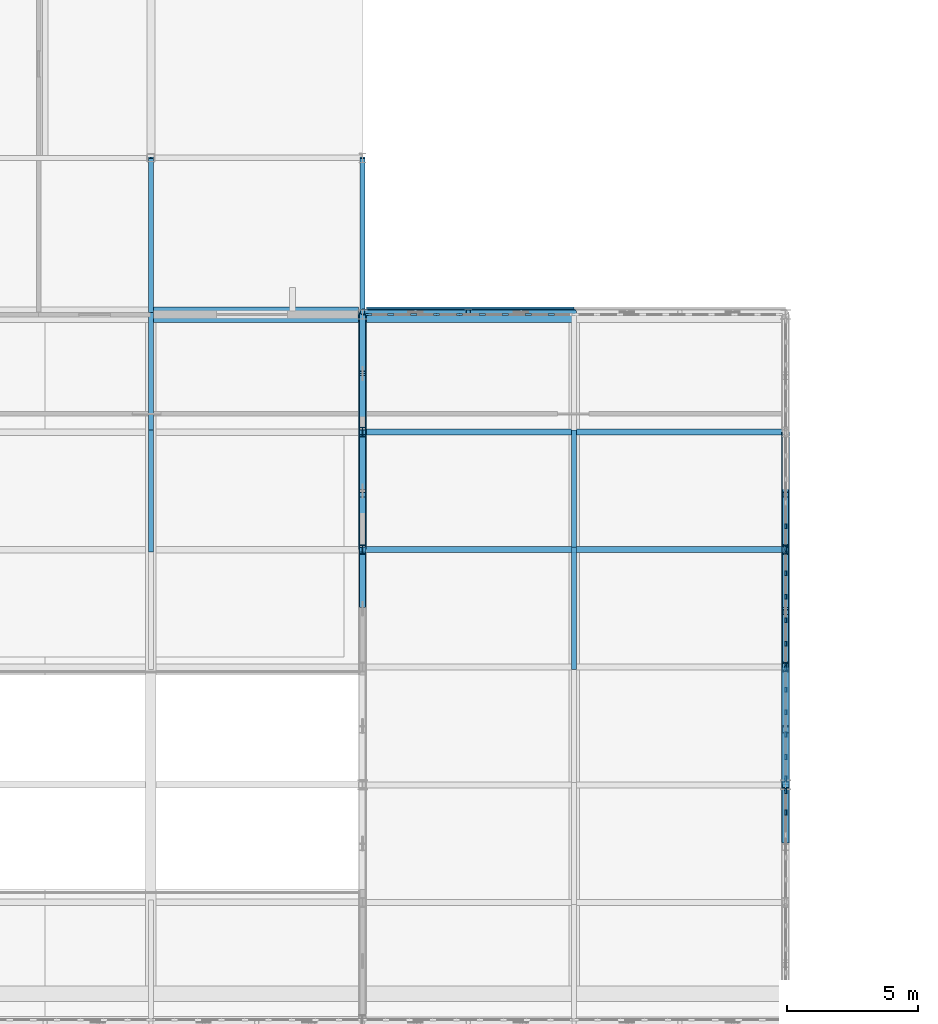
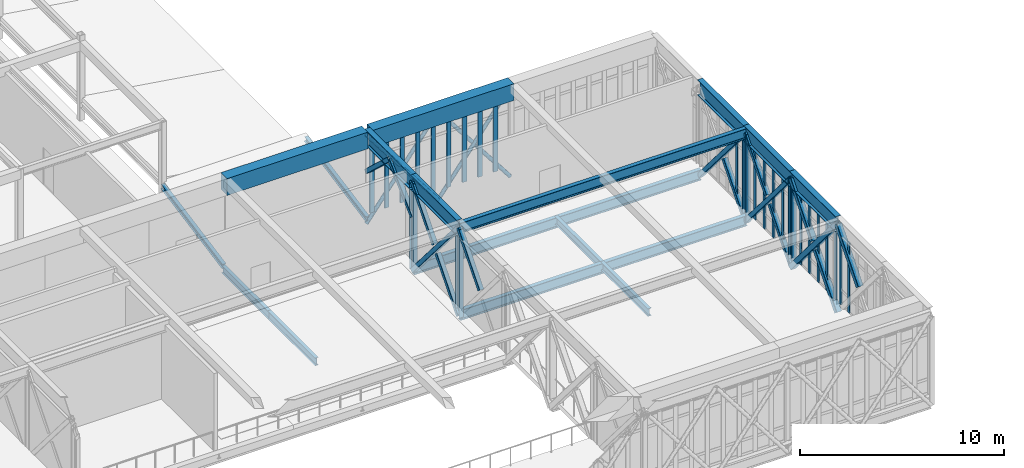
# One storey, part 17 of 70: 52 members, 14 beams, 5 elements without a shape of their own.
"""IFC4 building model written with IfcOpenShell, lengths in metres."""

from ifc_helpers import new_model, si_unit, direction, frame, origin, origin_2d, place, context, subcontext, project, spatial, rectangle, hollow_rectangle, hollow_circle, i_section, extrude, material, material_profile, profile_set, type_object, element, aggregate, save


model = new_model("IFC4")

# Units and contexts
model_context = context("Model", 3, precision=1e-05, world=origin(), true_north=direction((0.0, 1.0)))
body_context = subcontext(model_context, "Body", "Model", "MODEL_VIEW")
ifc_project = project(units=[si_unit("LENGTHUNIT", "METRE"), si_unit("AREAUNIT", "SQUARE_METRE"), si_unit("VOLUMEUNIT", "CUBIC_METRE"), si_unit("PLANEANGLEUNIT", "RADIAN"), si_unit("MASSUNIT", "GRAM", prefix="KILO")], contexts=[model_context])

# Site, building, storey
site_placement = place(None, origin())
site = spatial("IfcSite", under=ifc_project, at=site_placement, CompositionType="ELEMENT")
building_placement = place(site_placement, origin())
building = spatial("IfcBuilding", under=site, at=building_placement, Name="Tarnveldt Square Police Headquarters", CompositionType="ELEMENT")
storey_placement = place(building_placement, frame((0.0, 0.0, 19.800048828125)))
storey = spatial("IfcBuildingStorey", under=building, at=storey_placement, Name="L04", CompositionType="ELEMENT", Elevation=19.800048828125)

# Beams
ifc_material_1 = material(Name="Steel 350W", Category="steel")
ifc_material_profile_1 = material_profile(ifc_material_1, i_section(OverallWidth=0.305908203125, OverallDepth=0.9189453125, WebThickness=0.017333984375, FlangeThickness=0.02783203125, FilletRadius=0.02392578125, at=origin_2d()), Name="W920x253")
ifc_profile_set_1 = profile_set([ifc_material_profile_1], Name="Steel 350W")
beam_type_1 = type_object("IfcBeamType", Name="BM-CT-TOP", PredefinedType="BEAM", material=ifc_profile_set_1)
for number, where, z_axis, x_axis, name in (
    (1, (48.60009765625, 34.0, 4.640380859375), (0.0, -1.0, 0.0), (1.0, 0.0, 0.0), "Cantilever Truss CT-3 Top Chord 1"),
    (2, (48.60009765625, 29.5, 4.640380859375), (0.0, -1.0, 0.0), (1.0, 0.0, 0.0), "Cantilever Truss CT-3 Top Chord 2"),
    (3, (64.800048828125, 29.5, 4.640380859375), (0.0, -1.0, 0.0), (1.0, 0.0, 0.0), "Cantilever Truss CT-4 Top Chord 2"),
    (4, (64.800048828125, 25.0, 4.640380859375), (0.0, -1.0, 0.0), (1.0, 0.0, 0.0), "Cantilever Truss CT-4 Top Chord 3"),
    (5, (64.800048828125, 20.5, 4.640380859375), (0.0, -1.0, 0.0), (1.0, 0.0, 0.0), "Cantilever Truss CT-4 Top Chord 4"),
):
    element("IfcBeam", number, at=place(storey_placement, frame(where, z_axis=z_axis, x_axis=x_axis)), inside=storey, type_object=beam_type_1, Name=name, PredefinedType="BEAM", context=body_context, shape_type="SweptSolid", body=[
        extrude(i_section(OverallWidth=0.305908203125, OverallDepth=0.9189453125, WebThickness=0.017333984375, FlangeThickness=0.02783203125, FilletRadius=0.02392578125, at=origin_2d()), origin(), (0.0, 0.0, 1.0), 4.5),
    ])
ifc_material_2 = material(Name="Concrete 50 MPa", Category="concrete")
ifc_material_profile_2 = material_profile(ifc_material_2, rectangle(XDim=0.60009765625, YDim=1.0, at=origin_2d()), Name="RC-B600x1000")
ifc_profile_set_2 = profile_set([ifc_material_profile_2], Name="Concrete 50 MPa")
beam_type_2 = type_object("IfcBeamType", Name="BM-RC600x1000", PredefinedType="BEAM", material=ifc_profile_set_2)
for number, where, z_axis, x_axis, name in (
    (6, (40.5, 34.0, 4.599853515625), (1.0, 0.0, 0.0), (0.0, 1.0, 0.0), "Command and Control Room Springing Edge Ring Beam N5"),
    (7, (48.75, 34.0, 4.599853515625), (1.0, 0.0, 0.0), (0.0, 1.0, 0.0), "Command and Control Room Springing Edge Ring Beam N6"),
):
    element("IfcBeam", number, at=place(storey_placement, frame(where, z_axis=z_axis, x_axis=x_axis)), inside=storey, type_object=beam_type_2, Name=name, PredefinedType="BEAM", context=body_context, shape_type="SweptSolid", body=[
        extrude(rectangle(XDim=0.60009765625, YDim=1.0, at=origin_2d()), origin(), (0.0, 0.0, 1.0), 7.949951171875),
    ])
ifc_material_profile_3 = material_profile(ifc_material_1, i_section(OverallWidth=0.19189453125, OverallDepth=0.462890625, WebThickness=0.010498046875, FlangeThickness=0.017578125, FilletRadius=0.01806640625, at=origin_2d()), Name="W460x89")
ifc_profile_set_3 = profile_set([ifc_material_profile_3], Name="Steel 350W")
beam_type_3 = type_object("IfcBeamType", Name="BM-W460x89", PredefinedType="BEAM", material=ifc_profile_set_3)
for number, where, z_axis, x_axis, name in (
    (8, (40.5, 34.080078125, -0.491455078125), (0.0, -1.0, 0.0), (1.0, 0.0, 0.0), "Lantern L04 Secondary Beam 40.0"),
    (9, (40.5, 29.580078125, -0.491455078125), (0.0, -1.0, 0.0), (1.0, 0.0, 0.0), "Lantern L04 Secondary Beam 40.1"),
    (10, (56.699951171875, 29.580078125, -0.491455078125), (0.0, -1.0, 0.0), (1.0, 0.0, 0.0), "Lantern L04 Secondary Beam 56.1"),
    (11, (56.699951171875, 25.080078125, -0.491455078125), (0.0, -1.0, 0.0), (1.0, 0.0, 0.0), "Lantern L04 Secondary Beam 56.2"),
):
    element("IfcBeam", number, at=place(storey_placement, frame(where, z_axis=z_axis, x_axis=x_axis)), inside=storey, type_object=beam_type_3, Name=name, PredefinedType="BEAM", context=body_context, shape_type="SweptSolid", body=[
        extrude(i_section(OverallWidth=0.19189453125, OverallDepth=0.462890625, WebThickness=0.010498046875, FlangeThickness=0.017578125, FilletRadius=0.01806640625, at=origin_2d()), origin(), (0.0, 0.0, 1.0), 4.66015625),
    ])
ifc_material_profile_4 = material_profile(ifc_material_1, i_section(OverallWidth=0.22900390625, OverallDepth=0.612060546875, WebThickness=0.011962890625, FlangeThickness=0.01953125, FilletRadius=0.01904296875, at=origin_2d()), Name="W610x125")
ifc_profile_set_4 = profile_set([ifc_material_profile_4], Name="Steel 350W")
beam_type_4 = type_object("IfcBeamType", Name="BM-W610x125", PredefinedType="BEAM", material=ifc_profile_set_4)
for number, where, z_axis, x_axis, name in (
    (12, (48.60009765625, 29.5, -0.566162109375), (1.0, 0.0, 0.0), (0.0, 1.0, 0.0), "Command Lantern L04 Transverse Girder 3.1"),
    (13, (48.60009765625, 25.0, -0.566162109375), (1.0, 0.0, 0.0), (0.0, 1.0, 0.0), "Command Lantern L04 Transverse Girder 3.2"),
    (14, (48.60009765625, 25.0, 4.640380859375), (1.0, 0.0, 0.0), (0.0, 1.0, 0.0), "Command Lantern Roof Ring Girder 3.2"),
):
    element("IfcBeam", number, at=place(storey_placement, frame(where, z_axis=z_axis, x_axis=x_axis)), inside=storey, type_object=beam_type_4, Name=name, PredefinedType="BEAM", context=body_context, shape_type="SweptSolid", body=[
        extrude(i_section(OverallWidth=0.22900390625, OverallDepth=0.612060546875, WebThickness=0.011962890625, FlangeThickness=0.01953125, FilletRadius=0.01904296875, at=origin_2d()), origin(), (0.0, 0.0, 1.0), 16.199951171875),
    ])

# Curtain wall, members
ifc_material_3 = material(Name="Triple-glazed low-e laminated vision glass", Category="glass")
curtain_wall_type_1 = type_object("IfcCurtainWallType", Name="CW-LT-430x417", PredefinedType="USERDEFINED", material=ifc_material_3)
curtain_wall_1_placement = place(storey_placement, origin())
curtain_wall_1 = element("IfcCurtainWall", 15, at=curtain_wall_1_placement, inside=storey, type_object=curtain_wall_type_1, Name="L04 Curtain Wall CW-L04-057", ObjectType="GLAZED CURTAIN WALL", PredefinedType="USERDEFINED")
ifc_material_4 = material(Name="Thermally broken anodised aluminium 6063-T6", Category="aluminium")
ifc_material_profile_5 = material_profile(ifc_material_4, rectangle(XDim=0.074951171875, YDim=0.199951171875, at=origin_2d()), Name="CW-M75x200")
ifc_profile_set_5 = profile_set([ifc_material_profile_5], Name="Thermally broken anodised aluminium 6063-T6")
member_type_1 = type_object("IfcMemberType", Name="CWM-75x200", PredefinedType="MULLION", material=ifc_profile_set_5)
member_1_placement = place(storey_placement, frame((64.800048828125, 14.9384765625, 0.0), z_axis=(0.0, 0.0, 1.0), x_axis=(-1.0, 0.0, 0.0)))
member_1 = element("IfcMember", 16, at=member_1_placement, type_object=member_type_1, Name="CW-LT21 mullion 5", PredefinedType="MULLION", context=body_context, shape_type="SweptSolid", body=[
    extrude(rectangle(XDim=0.074951171875, YDim=0.199951171875, at=origin_2d()), origin(), (0.0, 0.0, 1.0), 4.1728515625),
])
member_2_placement = place(storey_placement, frame((64.800048828125, 15.760498046875, 0.0), z_axis=(0.0, 0.0, 1.0), x_axis=(-1.0, 0.0, 0.0)))
member_2 = element("IfcMember", 17, at=member_2_placement, type_object=member_type_1, Name="CW-LT21 mullion 6", PredefinedType="MULLION", context=body_context, shape_type="SweptSolid", body=[
    extrude(rectangle(XDim=0.074951171875, YDim=0.199951171875, at=origin_2d()), origin(), (0.0, 0.0, 1.0), 4.1728515625),
])
aggregate(curtain_wall_1, [member_1, member_2])

curtain_wall_2_placement = place(storey_placement, origin())
curtain_wall_2 = element("IfcCurtainWall", 18, at=curtain_wall_2_placement, inside=storey, type_object=curtain_wall_type_1, Name="L04 Curtain Wall CW-L04-058", ObjectType="GLAZED CURTAIN WALL", PredefinedType="USERDEFINED")
member_3_placement = place(storey_placement, frame((64.800048828125, 16.239501953125, 0.0), z_axis=(0.0, 0.0, 1.0), x_axis=(-1.0, 0.0, 0.0)))
member_3 = element("IfcMember", 19, at=member_3_placement, type_object=member_type_1, Name="CW-LT21 mullion 1", PredefinedType="MULLION", context=body_context, shape_type="SweptSolid", body=[
    extrude(rectangle(XDim=0.074951171875, YDim=0.199951171875, at=origin_2d()), origin(), (0.0, 0.0, 1.0), 4.1728515625),
])
member_4_placement = place(storey_placement, frame((64.800048828125, 17.0615234375, 0.0), z_axis=(0.0, 0.0, 1.0), x_axis=(-1.0, 0.0, 0.0)))
member_4 = element("IfcMember", 20, at=member_4_placement, type_object=member_type_1, Name="CW-LT21 mullion 2", PredefinedType="MULLION", context=body_context, shape_type="SweptSolid", body=[
    extrude(rectangle(XDim=0.074951171875, YDim=0.199951171875, at=origin_2d()), origin(), (0.0, 0.0, 1.0), 4.1728515625),
])
member_5_placement = place(storey_placement, frame((64.800048828125, 17.921142578125, 0.0), z_axis=(0.0, 0.0, 1.0), x_axis=(-1.0, 0.0, 0.0)))
member_5 = element("IfcMember", 21, at=member_5_placement, type_object=member_type_1, Name="CW-LT21 mullion 3", PredefinedType="MULLION", context=body_context, shape_type="SweptSolid", body=[
    extrude(rectangle(XDim=0.074951171875, YDim=0.199951171875, at=origin_2d()), origin(), (0.0, 0.0, 1.0), 4.1728515625),
])
member_6_placement = place(storey_placement, frame((64.800048828125, 18.78076171875, 0.0), z_axis=(0.0, 0.0, 1.0), x_axis=(-1.0, 0.0, 0.0)))
member_6 = element("IfcMember", 22, at=member_6_placement, type_object=member_type_1, Name="CW-LT21 mullion 4", PredefinedType="MULLION", context=body_context, shape_type="SweptSolid", body=[
    extrude(rectangle(XDim=0.074951171875, YDim=0.199951171875, at=origin_2d()), origin(), (0.0, 0.0, 1.0), 4.1728515625),
])
member_7_placement = place(storey_placement, frame((64.800048828125, 19.640380859375, 0.0), z_axis=(0.0, 0.0, 1.0), x_axis=(-1.0, 0.0, 0.0)))
member_7 = element("IfcMember", 23, at=member_7_placement, type_object=member_type_1, Name="CW-LT21 mullion 5", PredefinedType="MULLION", context=body_context, shape_type="SweptSolid", body=[
    extrude(rectangle(XDim=0.074951171875, YDim=0.199951171875, at=origin_2d()), origin(), (0.0, 0.0, 1.0), 4.1728515625),
])
member_8_placement = place(storey_placement, frame((64.800048828125, 20.46240234375, 0.0), z_axis=(0.0, 0.0, 1.0), x_axis=(-1.0, 0.0, 0.0)))
member_8 = element("IfcMember", 24, at=member_8_placement, type_object=member_type_1, Name="CW-LT21 mullion 6", PredefinedType="MULLION", context=body_context, shape_type="SweptSolid", body=[
    extrude(rectangle(XDim=0.074951171875, YDim=0.199951171875, at=origin_2d()), origin(), (0.0, 0.0, 1.0), 4.1728515625),
])
aggregate(curtain_wall_2, [member_3, member_4, member_5, member_6, member_7, member_8])

curtain_wall_type_2 = type_object("IfcCurtainWallType", Name="CW-LT-450x417", PredefinedType="USERDEFINED", material=ifc_material_3)
curtain_wall_3_placement = place(storey_placement, origin())
curtain_wall_3 = element("IfcCurtainWall", 25, at=curtain_wall_3_placement, inside=storey, type_object=curtain_wall_type_2, Name="L04 Curtain Wall CW-L04-059", ObjectType="GLAZED CURTAIN WALL", PredefinedType="USERDEFINED")
member_9_placement = place(storey_placement, frame((64.800048828125, 20.53759765625, 0.0), z_axis=(0.0, 0.0, 1.0), x_axis=(-1.0, 0.0, 0.0)))
member_9 = element("IfcMember", 26, at=member_9_placement, type_object=member_type_1, Name="CW-LT22 mullion 1", PredefinedType="MULLION", context=body_context, shape_type="SweptSolid", body=[
    extrude(rectangle(XDim=0.074951171875, YDim=0.199951171875, at=origin_2d()), origin(), (0.0, 0.0, 1.0), 4.1728515625),
])
member_10_placement = place(storey_placement, frame((64.800048828125, 21.39990234375, 0.0), z_axis=(0.0, 0.0, 1.0), x_axis=(-1.0, 0.0, 0.0)))
member_10 = element("IfcMember", 27, at=member_10_placement, type_object=member_type_1, Name="CW-LT22 mullion 2", PredefinedType="MULLION", context=body_context, shape_type="SweptSolid", body=[
    extrude(rectangle(XDim=0.074951171875, YDim=0.199951171875, at=origin_2d()), origin(), (0.0, 0.0, 1.0), 4.1728515625),
])
member_11_placement = place(storey_placement, frame((64.800048828125, 22.300048828125, 0.0), z_axis=(0.0, 0.0, 1.0), x_axis=(-1.0, 0.0, 0.0)))
member_11 = element("IfcMember", 28, at=member_11_placement, type_object=member_type_1, Name="CW-LT22 mullion 3", PredefinedType="MULLION", context=body_context, shape_type="SweptSolid", body=[
    extrude(rectangle(XDim=0.074951171875, YDim=0.199951171875, at=origin_2d()), origin(), (0.0, 0.0, 1.0), 4.1728515625),
])
member_12_placement = place(storey_placement, frame((64.800048828125, 23.199951171875, 0.0), z_axis=(0.0, 0.0, 1.0), x_axis=(-1.0, 0.0, 0.0)))
member_12 = element("IfcMember", 29, at=member_12_placement, type_object=member_type_1, Name="CW-LT22 mullion 4", PredefinedType="MULLION", context=body_context, shape_type="SweptSolid", body=[
    extrude(rectangle(XDim=0.074951171875, YDim=0.199951171875, at=origin_2d()), origin(), (0.0, 0.0, 1.0), 4.1728515625),
])
member_13_placement = place(storey_placement, frame((64.800048828125, 24.10009765625, 0.0), z_axis=(0.0, 0.0, 1.0), x_axis=(-1.0, 0.0, 0.0)))
member_13 = element("IfcMember", 30, at=member_13_placement, type_object=member_type_1, Name="CW-LT22 mullion 5", PredefinedType="MULLION", context=body_context, shape_type="SweptSolid", body=[
    extrude(rectangle(XDim=0.074951171875, YDim=0.199951171875, at=origin_2d()), origin(), (0.0, 0.0, 1.0), 4.1728515625),
])
member_14_placement = place(storey_placement, frame((64.800048828125, 24.96240234375, 0.0), z_axis=(0.0, 0.0, 1.0), x_axis=(-1.0, 0.0, 0.0)))
member_14 = element("IfcMember", 31, at=member_14_placement, type_object=member_type_1, Name="CW-LT22 mullion 6", PredefinedType="MULLION", context=body_context, shape_type="SweptSolid", body=[
    extrude(rectangle(XDim=0.074951171875, YDim=0.199951171875, at=origin_2d()), origin(), (0.0, 0.0, 1.0), 4.1728515625),
])
aggregate(curtain_wall_3, [member_9, member_10, member_11, member_12, member_13, member_14])

curtain_wall_4_placement = place(storey_placement, origin())
curtain_wall_4 = element("IfcCurtainWall", 32, at=curtain_wall_4_placement, inside=storey, type_object=curtain_wall_type_2, Name="L04 Curtain Wall CW-L04-060", ObjectType="GLAZED CURTAIN WALL", PredefinedType="USERDEFINED")
member_15_placement = place(storey_placement, frame((64.800048828125, 25.03759765625, 0.0), z_axis=(0.0, 0.0, 1.0), x_axis=(-1.0, 0.0, 0.0)))
member_15 = element("IfcMember", 33, at=member_15_placement, type_object=member_type_1, Name="CW-LT22 mullion 1", PredefinedType="MULLION", context=body_context, shape_type="SweptSolid", body=[
    extrude(rectangle(XDim=0.074951171875, YDim=0.199951171875, at=origin_2d()), origin(), (0.0, 0.0, 1.0), 4.1728515625),
])
member_16_placement = place(storey_placement, frame((64.800048828125, 25.89990234375, 0.0), z_axis=(0.0, 0.0, 1.0), x_axis=(-1.0, 0.0, 0.0)))
member_16 = element("IfcMember", 34, at=member_16_placement, type_object=member_type_1, Name="CW-LT22 mullion 2", PredefinedType="MULLION", context=body_context, shape_type="SweptSolid", body=[
    extrude(rectangle(XDim=0.074951171875, YDim=0.199951171875, at=origin_2d()), origin(), (0.0, 0.0, 1.0), 4.1728515625),
])
aggregate(curtain_wall_4, [member_15, member_16])

ifc_material_5 = material(Name="UL 752 Level III laminated ballistic vision glass", Category="glass")
curtain_wall_type_3 = type_object("IfcCurtainWallType", Name="CW-BL-790x409", PredefinedType="USERDEFINED", material=ifc_material_5)
curtain_wall_5_placement = place(storey_placement, origin())
curtain_wall_5 = element("IfcCurtainWall", 35, at=curtain_wall_5_placement, inside=storey, type_object=curtain_wall_type_3, Name="L04 Curtain Wall CW-L04-048", ObjectType="BALLISTIC CURTAIN WALL", PredefinedType="USERDEFINED")
ifc_material_profile_6 = material_profile(ifc_material_4, rectangle(XDim=0.0849609375, YDim=0.239990234375, at=origin_2d()), Name="CW-M85x240")
ifc_profile_set_6 = profile_set([ifc_material_profile_6], Name="Thermally broken anodised aluminium 6063-T6")
member_type_2 = type_object("IfcMemberType", Name="CWM-85x240", PredefinedType="MULLION", material=ifc_profile_set_6)
member_17_placement = place(storey_placement, frame((48.844482421875, 34.0, 0.0), z_axis=(0.0, 0.0, 1.0), x_axis=(0.0, 1.0, 0.0)))
member_17 = element("IfcMember", 36, at=member_17_placement, type_object=member_type_2, Name="CW-BL19 mullion 1", PredefinedType="MULLION", context=body_context, shape_type="SweptSolid", body=[
    extrude(rectangle(XDim=0.0849609375, YDim=0.239990234375, at=origin_2d()), origin(), (0.0, 0.0, 1.0), 4.092041015625),
])
member_18_placement = place(storey_placement, frame((49.679443359375, 34.0, 0.0), z_axis=(0.0, 0.0, 1.0), x_axis=(0.0, 1.0, 0.0)))
member_18 = element("IfcMember", 37, at=member_18_placement, type_object=member_type_2, Name="CW-BL19 mullion 2", PredefinedType="MULLION", context=body_context, shape_type="SweptSolid", body=[
    extrude(rectangle(XDim=0.0849609375, YDim=0.239990234375, at=origin_2d()), origin(), (0.0, 0.0, 1.0), 4.092041015625),
])
member_19_placement = place(storey_placement, frame((50.55712890625, 34.0, 0.0), z_axis=(0.0, 0.0, 1.0), x_axis=(0.0, 1.0, 0.0)))
member_19 = element("IfcMember", 38, at=member_19_placement, type_object=member_type_2, Name="CW-BL19 mullion 3", PredefinedType="MULLION", context=body_context, shape_type="SweptSolid", body=[
    extrude(rectangle(XDim=0.0849609375, YDim=0.239990234375, at=origin_2d()), origin(), (0.0, 0.0, 1.0), 4.092041015625),
])
member_20_placement = place(storey_placement, frame((51.4345703125, 34.0, 0.0), z_axis=(0.0, 0.0, 1.0), x_axis=(0.0, 1.0, 0.0)))
member_20 = element("IfcMember", 39, at=member_20_placement, type_object=member_type_2, Name="CW-BL19 mullion 4", PredefinedType="MULLION", context=body_context, shape_type="SweptSolid", body=[
    extrude(rectangle(XDim=0.0849609375, YDim=0.239990234375, at=origin_2d()), origin(), (0.0, 0.0, 1.0), 4.092041015625),
])
member_21_placement = place(storey_placement, frame((52.312255859375, 34.0, 0.0), z_axis=(0.0, 0.0, 1.0), x_axis=(0.0, 1.0, 0.0)))
member_21 = element("IfcMember", 40, at=member_21_placement, type_object=member_type_2, Name="CW-BL19 mullion 5", PredefinedType="MULLION", context=body_context, shape_type="SweptSolid", body=[
    extrude(rectangle(XDim=0.0849609375, YDim=0.239990234375, at=origin_2d()), origin(), (0.0, 0.0, 1.0), 4.092041015625),
])
member_22_placement = place(storey_placement, frame((53.189697265625, 34.0, 0.0), z_axis=(0.0, 0.0, 1.0), x_axis=(0.0, 1.0, 0.0)))
member_22 = element("IfcMember", 41, at=member_22_placement, type_object=member_type_2, Name="CW-BL19 mullion 6", PredefinedType="MULLION", context=body_context, shape_type="SweptSolid", body=[
    extrude(rectangle(XDim=0.0849609375, YDim=0.239990234375, at=origin_2d()), origin(), (0.0, 0.0, 1.0), 4.092041015625),
])
member_23_placement = place(storey_placement, frame((54.0673828125, 34.0, 0.0), z_axis=(0.0, 0.0, 1.0), x_axis=(0.0, 1.0, 0.0)))
member_23 = element("IfcMember", 42, at=member_23_placement, type_object=member_type_2, Name="CW-BL19 mullion 7", PredefinedType="MULLION", context=body_context, shape_type="SweptSolid", body=[
    extrude(rectangle(XDim=0.0849609375, YDim=0.239990234375, at=origin_2d()), origin(), (0.0, 0.0, 1.0), 4.092041015625),
])
member_24_placement = place(storey_placement, frame((54.94482421875, 34.0, 0.0), z_axis=(0.0, 0.0, 1.0), x_axis=(0.0, 1.0, 0.0)))
member_24 = element("IfcMember", 43, at=member_24_placement, type_object=member_type_2, Name="CW-BL19 mullion 8", PredefinedType="MULLION", context=body_context, shape_type="SweptSolid", body=[
    extrude(rectangle(XDim=0.0849609375, YDim=0.239990234375, at=origin_2d()), origin(), (0.0, 0.0, 1.0), 4.092041015625),
])
member_25_placement = place(storey_placement, frame((55.822509765625, 34.0, 0.0), z_axis=(0.0, 0.0, 1.0), x_axis=(0.0, 1.0, 0.0)))
member_25 = element("IfcMember", 44, at=member_25_placement, type_object=member_type_2, Name="CW-BL19 mullion 9", PredefinedType="MULLION", context=body_context, shape_type="SweptSolid", body=[
    extrude(rectangle(XDim=0.0849609375, YDim=0.239990234375, at=origin_2d()), origin(), (0.0, 0.0, 1.0), 4.092041015625),
])
aggregate(curtain_wall_5, [member_17, member_18, member_19, member_20, member_21, member_22, member_23, member_24, member_25])

# Members
ifc_material_profile_7 = material_profile(ifc_material_1, i_section(OverallWidth=0.257080078125, OverallDepth=0.363037109375, WebThickness=0.012939453125, FlangeThickness=0.021728515625, FilletRadius=0.01611328125, at=origin_2d()), Name="W360x122")
ifc_profile_set_7 = profile_set([ifc_material_profile_7], Name="Steel 350W")
member_type_3 = type_object("IfcMemberType", Name="MEM-CT-POST", PredefinedType="STRUT", material=ifc_profile_set_7)
for number, where, z_axis, x_axis, name in (
    (45, (48.60009765625, 29.5, -0.64306640625), (0.0, 0.0, 1.0), (1.0, 0.0, 0.0), "Cantilever Truss CT-3 L04 Post 2"),
    (46, (48.60009765625, 25.0, -0.64306640625), (0.0, 0.0, 1.0), (1.0, 0.0, 0.0), "Cantilever Truss CT-3 L04 Post 3"),
    (47, (64.800048828125, 25.0, -0.64306640625), (0.0, 0.0, 1.0), (1.0, 0.0, 0.0), "Cantilever Truss CT-4 L04 Post 3"),
    (48, (64.800048828125, 20.5, -0.64306640625), (0.0, 0.0, 1.0), (1.0, 0.0, 0.0), "Cantilever Truss CT-4 L04 Post 4"),
):
    element("IfcMember", number, at=place(storey_placement, frame(where, z_axis=z_axis, x_axis=x_axis)), inside=storey, type_object=member_type_3, Name=name, PredefinedType="STRUT", context=body_context, shape_type="SweptSolid", body=[
        extrude(i_section(OverallWidth=0.257080078125, OverallDepth=0.363037109375, WebThickness=0.012939453125, FlangeThickness=0.021728515625, FilletRadius=0.01611328125, at=origin_2d()), origin(), (0.0, 0.0, 1.0), 5.283447265625),
    ])
ifc_material_profile_8 = material_profile(ifc_material_1, hollow_rectangle(XDim=0.3046875, YDim=0.3046875, WallThickness=0.015869140625, InnerFilletRadius=0.015869140625, OuterFilletRadius=0.03173828125, at=origin_2d()), Name="HSS305x305x16")
ifc_profile_set_8 = profile_set([ifc_material_profile_8], Name="Steel 350W")
member_type_4 = type_object("IfcMemberType", Name="MEM-CT-WEB1", PredefinedType="BRACE", material=ifc_profile_set_8)
member_26_placement = place(storey_placement, frame((64.800048828125, 20.5, -0.64306640625), z_axis=(0.0, -0.648406807061, 0.761294038173), x_axis=(1.0, 0.0, 0.0)))
element("IfcMember", 49, at=member_26_placement, inside=storey, type_object=member_type_4, Name="Cantilever Truss CT-4 L04 Web A4", PredefinedType="BRACE", context=body_context, shape_type="SweptSolid", body=[
    extrude(hollow_rectangle(XDim=0.3046875, YDim=0.3046875, WallThickness=0.015869140625, InnerFilletRadius=0.015869140625, OuterFilletRadius=0.03173828125, at=origin_2d()), origin(), (0.0, 0.0, 1.0), 6.940185546875),
])
member_27_placement = place(storey_placement, frame((64.800048828125, 16.0, -0.64306640625), z_axis=(0.0, 0.648400353561, 0.761299534678), x_axis=(-1.0, 0.0, 0.0)))
element("IfcMember", 50, at=member_27_placement, inside=storey, type_object=member_type_4, Name="Cantilever Truss CT-4 L04 Web B4 Lower", PredefinedType="BRACE", context=body_context, shape_type="SweptSolid", body=[
    extrude(hollow_rectangle(XDim=0.3046875, YDim=0.3046875, WallThickness=0.015869140625, InnerFilletRadius=0.015869140625, OuterFilletRadius=0.03173828125, at=origin_2d()), origin(), (0.0, 0.0, 1.0), 3.250244140625),
])
for number, where, z_axis, x_axis, name in (
    (51, (64.800048828125, 18.392578125, 2.166259765625), (0.0, 0.648437434135, 0.761267951521), (-1.0, 0.0, 0.0), "Cantilever Truss CT-4 L04 Web B4 Upper"),
    (52, (64.800048828125, 13.892578125, 2.166259765625), (0.0, 0.648437434135, 0.761267951521), (-1.0, 0.0, 0.0), "Cantilever Truss CT-4 L04 Web B5 Upper"),
):
    element("IfcMember", number, at=place(storey_placement, frame(where, z_axis=z_axis, x_axis=x_axis)), inside=storey, type_object=member_type_4, Name=name, PredefinedType="BRACE", context=body_context, shape_type="SweptSolid", body=[
        extrude(hollow_rectangle(XDim=0.3046875, YDim=0.3046875, WallThickness=0.015869140625, InnerFilletRadius=0.015869140625, OuterFilletRadius=0.03173828125, at=origin_2d()), origin(), (0.0, 0.0, 1.0), 3.25),
    ])
ifc_material_profile_9 = material_profile(ifc_material_1, hollow_rectangle(XDim=0.25390625, YDim=0.25390625, WallThickness=0.0126953125, InnerFilletRadius=0.0126953125, OuterFilletRadius=0.025390625, at=origin_2d()), Name="HSS254x254x13")
ifc_profile_set_9 = profile_set([ifc_material_profile_9], Name="Steel 350W")
member_type_5 = type_object("IfcMemberType", Name="MEM-CT-WEB2", PredefinedType="BRACE", material=ifc_profile_set_9)
for number, where, z_axis, x_axis, name in (
    (53, (48.60009765625, 34.0, 2.550048828125), (0.0, -0.732623589604, 0.680634024977), (1.0, 0.0, 0.0), "Cantilever Truss CT-3 L04 Portal Brace A1"),
    (54, (48.60009765625, 29.5, 2.550048828125), (0.0, 0.732623589604, 0.680634024977), (-1.0, 0.0, 0.0), "Cantilever Truss CT-3 L04 Portal Brace B1"),
):
    element("IfcMember", number, at=place(storey_placement, frame(where, z_axis=z_axis, x_axis=x_axis)), inside=storey, type_object=member_type_5, Name=name, PredefinedType="BRACE", context=body_context, shape_type="SweptSolid", body=[
        extrude(hollow_rectangle(XDim=0.25390625, YDim=0.25390625, WallThickness=0.0126953125, InnerFilletRadius=0.0126953125, OuterFilletRadius=0.025390625, at=origin_2d()), origin(), (0.0, 0.0, 1.0), 3.071044921875),
    ])
member_28_placement = place(storey_placement, frame((48.60009765625, 29.5, -0.64306640625), z_axis=(0.0, -0.648406807061, 0.761294038173), x_axis=(1.0, 0.0, 0.0)))
element("IfcMember", 55, at=member_28_placement, inside=storey, type_object=member_type_5, Name="Cantilever Truss CT-3 L04 Web A2", PredefinedType="BRACE", context=body_context, shape_type="SweptSolid", body=[
    extrude(hollow_rectangle(XDim=0.25390625, YDim=0.25390625, WallThickness=0.0126953125, InnerFilletRadius=0.0126953125, OuterFilletRadius=0.025390625, at=origin_2d()), origin(), (0.0, 0.0, 1.0), 6.940185546875),
])
member_29_placement = place(storey_placement, frame((48.60009765625, 25.0, -0.64306640625), z_axis=(0.0, 0.648400353561, 0.761299534678), x_axis=(-1.0, 0.0, 0.0)))
element("IfcMember", 56, at=member_29_placement, inside=storey, type_object=member_type_5, Name="Cantilever Truss CT-3 L04 Web B2 Lower", PredefinedType="BRACE", context=body_context, shape_type="SweptSolid", body=[
    extrude(hollow_rectangle(XDim=0.25390625, YDim=0.25390625, WallThickness=0.0126953125, InnerFilletRadius=0.0126953125, OuterFilletRadius=0.025390625, at=origin_2d()), origin(), (0.0, 0.0, 1.0), 3.250244140625),
])
for number, where, z_axis, x_axis, name in (
    (57, (48.60009765625, 27.392578125, 2.166259765625), (0.0, 0.648437434135, 0.761267951521), (-1.0, 0.0, 0.0), "Cantilever Truss CT-3 L04 Web B2 Upper"),
    (58, (48.60009765625, 22.892578125, 2.166259765625), (0.0, 0.648437434135, 0.761267951521), (-1.0, 0.0, 0.0), "Cantilever Truss CT-3 L04 Web B3 Upper"),
):
    element("IfcMember", number, at=place(storey_placement, frame(where, z_axis=z_axis, x_axis=x_axis)), inside=storey, type_object=member_type_5, Name=name, PredefinedType="BRACE", context=body_context, shape_type="SweptSolid", body=[
        extrude(hollow_rectangle(XDim=0.25390625, YDim=0.25390625, WallThickness=0.0126953125, InnerFilletRadius=0.0126953125, OuterFilletRadius=0.025390625, at=origin_2d()), origin(), (0.0, 0.0, 1.0), 3.25),
    ])
member_30_placement = place(storey_placement, frame((64.800048828125, 29.5, -0.64306640625), z_axis=(0.0, -0.648406807061, 0.761294038173), x_axis=(1.0, 0.0, 0.0)))
element("IfcMember", 59, at=member_30_placement, inside=storey, type_object=member_type_5, Name="Cantilever Truss CT-4 L04 Web A2", PredefinedType="BRACE", context=body_context, shape_type="SweptSolid", body=[
    extrude(hollow_rectangle(XDim=0.25390625, YDim=0.25390625, WallThickness=0.0126953125, InnerFilletRadius=0.0126953125, OuterFilletRadius=0.025390625, at=origin_2d()), origin(), (0.0, 0.0, 1.0), 6.940185546875),
])
member_31_placement = place(storey_placement, frame((64.800048828125, 25.0, -0.64306640625), z_axis=(0.0, 0.648400353561, 0.761299534678), x_axis=(-1.0, 0.0, 0.0)))
element("IfcMember", 60, at=member_31_placement, inside=storey, type_object=member_type_5, Name="Cantilever Truss CT-4 L04 Web B2 Lower", PredefinedType="BRACE", context=body_context, shape_type="SweptSolid", body=[
    extrude(hollow_rectangle(XDim=0.25390625, YDim=0.25390625, WallThickness=0.0126953125, InnerFilletRadius=0.0126953125, OuterFilletRadius=0.025390625, at=origin_2d()), origin(), (0.0, 0.0, 1.0), 3.250244140625),
])
member_32_placement = place(storey_placement, frame((64.800048828125, 25.0, -0.64306640625), z_axis=(0.0, -0.648406807061, 0.761294038173), x_axis=(1.0, 0.0, 0.0)))
element("IfcMember", 61, at=member_32_placement, inside=storey, type_object=member_type_5, Name="Cantilever Truss CT-4 L04 Web A3", PredefinedType="BRACE", context=body_context, shape_type="SweptSolid", body=[
    extrude(hollow_rectangle(XDim=0.25390625, YDim=0.25390625, WallThickness=0.0126953125, InnerFilletRadius=0.0126953125, OuterFilletRadius=0.025390625, at=origin_2d()), origin(), (0.0, 0.0, 1.0), 6.940185546875),
])
member_33_placement = place(storey_placement, frame((64.800048828125, 20.5, -0.64306640625), z_axis=(0.0, 0.648400353561, 0.761299534678), x_axis=(-1.0, 0.0, 0.0)))
element("IfcMember", 62, at=member_33_placement, inside=storey, type_object=member_type_5, Name="Cantilever Truss CT-4 L04 Web B3 Lower", PredefinedType="BRACE", context=body_context, shape_type="SweptSolid", body=[
    extrude(hollow_rectangle(XDim=0.25390625, YDim=0.25390625, WallThickness=0.0126953125, InnerFilletRadius=0.0126953125, OuterFilletRadius=0.025390625, at=origin_2d()), origin(), (0.0, 0.0, 1.0), 3.250244140625),
])
member_34_placement = place(storey_placement, frame((64.800048828125, 22.892578125, 2.166259765625), z_axis=(0.0, 0.648437434135, 0.761267951521), x_axis=(-1.0, 0.0, 0.0)))
element("IfcMember", 63, at=member_34_placement, inside=storey, type_object=member_type_5, Name="Cantilever Truss CT-4 L04 Web B3 Upper", PredefinedType="BRACE", context=body_context, shape_type="SweptSolid", body=[
    extrude(hollow_rectangle(XDim=0.25390625, YDim=0.25390625, WallThickness=0.0126953125, InnerFilletRadius=0.0126953125, OuterFilletRadius=0.025390625, at=origin_2d()), origin(), (0.0, 0.0, 1.0), 3.25),
])
ifc_material_profile_10 = material_profile(ifc_material_1, i_section(OverallWidth=0.202880859375, OverallDepth=0.302978515625, WebThickness=0.007568359375, FlangeThickness=0.01318359375, FilletRadius=0.014892578125, at=origin_2d()), Name="W310x60")
ifc_profile_set_10 = profile_set([ifc_material_profile_10], Name="Steel 350W")
member_type_6 = type_object("IfcMemberType", Name="MEM-L07-RAF", PredefinedType="RAFTER", material=ifc_profile_set_10)
for number, where, z_axis, x_axis, name in (
    (64, (40.5, 34.0, -0.300048828125), (0.0, 0.981821900704, 0.189804518646), (-1.0, 0.0, 0.0), "Winter-Garden South Rafter 40"),
    (65, (48.60009765625, 34.0, -0.300048828125), (0.0, 0.981821900704, 0.189804518646), (-1.0, 0.0, 0.0), "Winter-Garden South Rafter 48"),
):
    element("IfcMember", number, at=place(storey_placement, frame(where, z_axis=z_axis, x_axis=x_axis)), inside=storey, type_object=member_type_6, Name=name, PredefinedType="RAFTER", context=body_context, shape_type="SweptSolid", body=[
        extrude(i_section(OverallWidth=0.202880859375, OverallDepth=0.302978515625, WebThickness=0.007568359375, FlangeThickness=0.01318359375, FilletRadius=0.014892578125, at=origin_2d()), origin(), (0.0, 0.0, 1.0), 6.111083984375),
    ])
ifc_material_profile_11 = material_profile(ifc_material_1, hollow_circle(Radius=0.109619140625, WallThickness=0.010986328125, at=origin_2d()), Name="HSS219x11")
ifc_profile_set_11 = profile_set([ifc_material_profile_11], Name="Steel 350W")
member_type_7 = type_object("IfcMemberType", Name="MEM-LT-DIAG2", PredefinedType="BRACE", material=ifc_profile_set_11)
member_35_placement = place(storey_placement, frame((48.60009765625, 34.10009765625, -0.64306640625), z_axis=(0.608352238036, 0.0, 0.793667155977), x_axis=(0.0, 1.0, 0.0)))
element("IfcMember", 66, at=member_35_placement, inside=storey, type_object=member_type_7, Name="Command Lantern N Steel Lattice Brace 6.1A", PredefinedType="BRACE", context=body_context, shape_type="SweptSolid", body=[
    extrude(hollow_circle(Radius=0.109619140625, WallThickness=0.010986328125, at=origin_2d()), origin(), (0.0, 0.0, 1.0), 6.656982421875),
])
member_36_placement = place(storey_placement, frame((52.64990234375, 34.10009765625, -0.64306640625), z_axis=(-0.608344715413, 0.0, 0.793672922071), x_axis=(0.0, -1.0, 0.0)))
element("IfcMember", 67, at=member_36_placement, inside=storey, type_object=member_type_7, Name="Command Lantern N Steel Lattice Brace 6.1B Lower", PredefinedType="BRACE", context=body_context, shape_type="SweptSolid", body=[
    extrude(hollow_circle(Radius=0.109619140625, WallThickness=0.010986328125, at=origin_2d()), origin(), (0.0, 0.0, 1.0), 3.128662109375),
])
member_37_placement = place(storey_placement, frame((50.50341796875, 34.10009765625, 2.157470703125), z_axis=(-0.608382393445, 0.0, 0.793644040705), x_axis=(0.0, -1.0, 0.0)))
element("IfcMember", 68, at=member_37_placement, inside=storey, type_object=member_type_7, Name="Command Lantern N Steel Lattice Brace 6.1B Upper", PredefinedType="BRACE", context=body_context, shape_type="SweptSolid", body=[
    extrude(hollow_circle(Radius=0.109619140625, WallThickness=0.010986328125, at=origin_2d()), origin(), (0.0, 0.0, 1.0), 3.12841796875),
])
member_38_placement = place(storey_placement, frame((52.64990234375, 34.10009765625, -0.64306640625), z_axis=(0.608375338642, 0.0, 0.793649448644), x_axis=(0.0, 1.0, 0.0)))
element("IfcMember", 69, at=member_38_placement, inside=storey, type_object=member_type_7, Name="Command Lantern N Steel Lattice Brace 6.2A", PredefinedType="BRACE", context=body_context, shape_type="SweptSolid", body=[
    extrude(hollow_circle(Radius=0.109619140625, WallThickness=0.010986328125, at=origin_2d()), origin(), (0.0, 0.0, 1.0), 6.6572265625),
])
member_39_placement = place(storey_placement, frame((56.699951171875, 34.10009765625, -0.64306640625), z_axis=(-0.608344715413, 0.0, 0.793672922071), x_axis=(0.0, -1.0, 0.0)))
element("IfcMember", 70, at=member_39_placement, inside=storey, type_object=member_type_7, Name="Command Lantern N Steel Lattice Brace 6.2B Lower", PredefinedType="BRACE", context=body_context, shape_type="SweptSolid", body=[
    extrude(hollow_circle(Radius=0.109619140625, WallThickness=0.010986328125, at=origin_2d()), origin(), (0.0, 0.0, 1.0), 3.128662109375),
])
member_40_placement = place(storey_placement, frame((54.55322265625, 34.10009765625, 2.157470703125), z_axis=(-0.608382393445, 0.0, 0.793644040705), x_axis=(0.0, -1.0, 0.0)))
element("IfcMember", 71, at=member_40_placement, inside=storey, type_object=member_type_7, Name="Command Lantern N Steel Lattice Brace 6.2B Upper", PredefinedType="BRACE", context=body_context, shape_type="SweptSolid", body=[
    extrude(hollow_circle(Radius=0.109619140625, WallThickness=0.010986328125, at=origin_2d()), origin(), (0.0, 0.0, 1.0), 3.12841796875),
])

save(model, "model.ifc")
